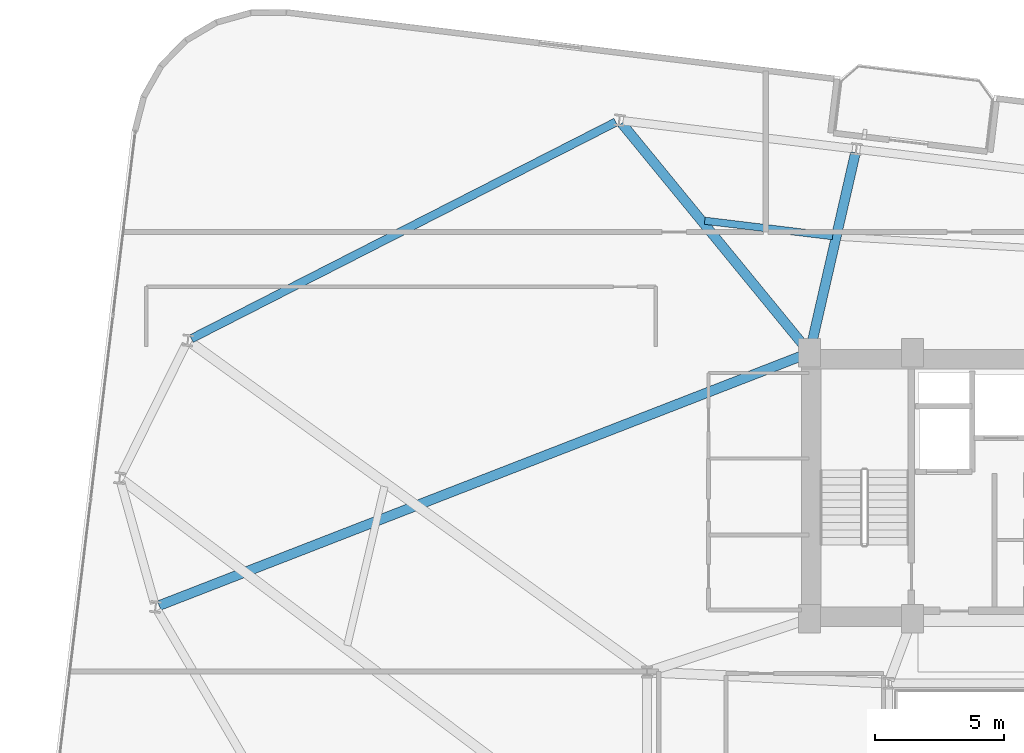
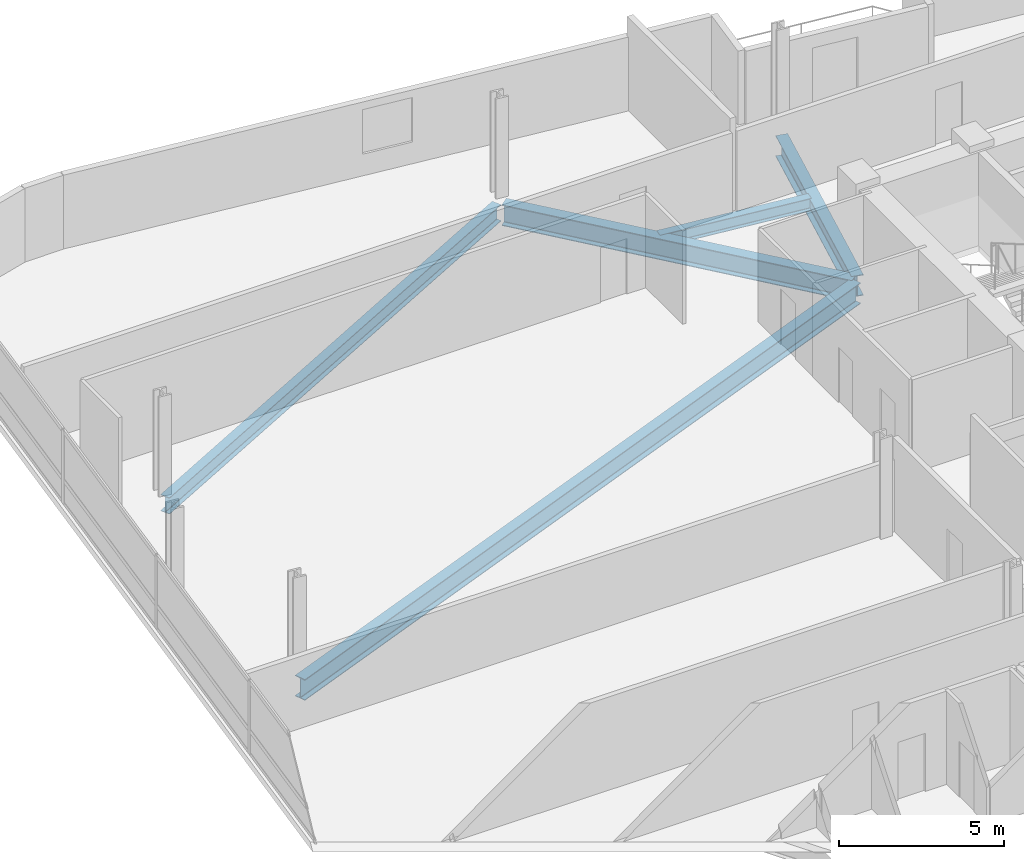
# One storey, part 11 of 26: 5 beams.
"""IFC4 building model written with IfcOpenShell, lengths in metres."""

from ifc_helpers import new_model, si_unit, direction, frame, origin, origin_2d, place, context, subcontext, project, spatial, i_section, extrude, material, material_profile, profile_set, type_object, element, save


model = new_model("IFC4")

# Units and contexts
model_context = context("Model", 3, precision=1e-05, world=origin(), true_north=direction((0.0, 1.0)))
body_context = subcontext(model_context, "Body", "Model", "MODEL_VIEW")
ifc_project = project(units=[si_unit("LENGTHUNIT", "METRE"), si_unit("AREAUNIT", "SQUARE_METRE"), si_unit("VOLUMEUNIT", "CUBIC_METRE"), si_unit("PLANEANGLEUNIT", "RADIAN"), si_unit("MASSUNIT", "GRAM", prefix="KILO")], contexts=[model_context])

# Site, building, storey
site_placement = place(None, origin())
site = spatial("IfcSite", under=ifc_project, at=site_placement, CompositionType="ELEMENT")
building_placement = place(site_placement, origin())
building = spatial("IfcBuilding", under=site, at=building_placement, Name="Varnelok Gate Tower", CompositionType="ELEMENT")
storey_placement = place(building_placement, frame((0.0, 0.0, 155.0)))
storey = spatial("IfcBuildingStorey", under=building, at=storey_placement, Name="L39", CompositionType="ELEMENT", Elevation=155.0)

# Beams
ifc_material = material(Name="Structural Steel ASTM A992 Grade 50", Category="steel")
ifc_material_profile_1 = material_profile(ifc_material, i_section(OverallWidth=0.280029296875, OverallDepth=0.462890625, WebThickness=0.0107421875, FlangeThickness=0.017333984375, FilletRadius=0.014892578125, at=origin_2d()), Name="W18X76")
ifc_profile_set_1 = profile_set([ifc_material_profile_1], Name="Structural Steel ASTM A992 Grade 50")
beam_type_1 = type_object("IfcBeamType", Name="BM-JST-W18X76", PredefinedType="JOIST", material=ifc_profile_set_1)
beam_1_placement = place(storey_placement, frame((31.59033203125, 43.56591796875, -0.4814453125), z_axis=(-0.992737322116, 0.120302158247, 0.0), x_axis=(-0.120302158247, -0.992737322116, 0.0)))
element("IfcBeam", 1, at=beam_1_placement, inside=storey, type_object=beam_type_1, Name="L39 Sector Floor Joist 10", PredefinedType="JOIST", context=body_context, shape_type="SweptSolid", body=[
    extrude(i_section(OverallWidth=0.280029296875, OverallDepth=0.462890625, WebThickness=0.0107421875, FlangeThickness=0.017333984375, FilletRadius=0.014892578125, at=origin_2d()), origin(), (0.0, 0.0, 1.0), 4.992431640625),
])
ifc_material_profile_2 = material_profile(ifc_material, i_section(OverallWidth=0.381103515625, OverallDepth=0.77294921875, WebThickness=0.0166015625, FlangeThickness=0.027099609375, FilletRadius=0.02197265625, at=origin_2d()), Name="W30X173")
ifc_profile_set_2 = profile_set([ifc_material_profile_2], Name="Structural Steel ASTM A992 Grade 50")
beam_type_2 = type_object("IfcBeamType", Name="BM-PRI-W30X173", PredefinedType="BEAM", material=ifc_profile_set_2)
beam_2_placement = place(storey_placement, frame((30.7333984375, 39.1962890625, -0.636474609375), z_axis=(0.223043307507, 0.974808536573, 0.0), x_axis=(-0.974808536573, 0.223043307507, 0.0)))
element("IfcBeam", 2, at=beam_2_placement, inside=storey, type_object=beam_type_2, Name="L39 Radial Floor Girder 12", PredefinedType="BEAM", context=body_context, shape_type="SweptSolid", body=[
    extrude(i_section(OverallWidth=0.381103515625, OverallDepth=0.77294921875, WebThickness=0.0166015625, FlangeThickness=0.027099609375, FilletRadius=0.02197265625, at=origin_2d()), origin(), (0.0, 0.0, 1.0), 7.796875),
])
beam_3_placement = place(storey_placement, frame((30.60498046875, 39.166015625, -0.636474609375), z_axis=(-0.633655000371, 0.773615757663, 0.0), x_axis=(-0.773615757663, -0.633655000371, 0.0)))
element("IfcBeam", 3, at=beam_3_placement, inside=storey, type_object=beam_type_2, Name="L39 Radial Floor Girder 13", PredefinedType="BEAM", context=body_context, shape_type="SweptSolid", body=[
    extrude(i_section(OverallWidth=0.381103515625, OverallDepth=0.77294921875, WebThickness=0.0166015625, FlangeThickness=0.027099609375, FilletRadius=0.02197265625, at=origin_2d()), origin(), (0.0, 0.0, 1.0), 11.341796875),
])
beam_4_placement = place(storey_placement, frame((30.560302734375, 38.99560546875, -0.636474609375), z_axis=(-0.93209869119, -0.362204403454, 0.0), x_axis=(0.362204403454, -0.93209869119, 0.0)))
element("IfcBeam", 4, at=beam_4_placement, inside=storey, type_object=beam_type_2, Name="L39 Radial Floor Girder 16", PredefinedType="BEAM", context=body_context, shape_type="SweptSolid", body=[
    extrude(i_section(OverallWidth=0.381103515625, OverallDepth=0.77294921875, WebThickness=0.0166015625, FlangeThickness=0.027099609375, FilletRadius=0.02197265625, at=origin_2d()), origin(), (0.0, 0.0, 1.0), 26.890869140625),
])
ifc_material_profile_3 = material_profile(ifc_material, i_section(OverallWidth=0.323974609375, OverallDepth=0.611083984375, WebThickness=0.0126953125, FlangeThickness=0.01904296875, FilletRadius=0.01806640625, at=origin_2d()), Name="W24X104")
ifc_profile_set_3 = profile_set([ifc_material_profile_3], Name="Structural Steel ASTM A992 Grade 50")
beam_type_3 = type_object("IfcBeamType", Name="BM-SPN-W24X104", PredefinedType="SPANDREL", material=ifc_profile_set_3)
beam_5_placement = place(storey_placement, frame((23.189697265625, 47.98779296875, -0.555419921875), z_axis=(-0.890729755615, -0.454533279819, 0.0), x_axis=(0.454533279819, -0.890729755615, 0.0)))
element("IfcBeam", 5, at=beam_5_placement, inside=storey, type_object=beam_type_3, Name="L39 Perimeter Spandrel Beam 13", PredefinedType="SPANDREL", context=body_context, shape_type="SweptSolid", body=[
    extrude(i_section(OverallWidth=0.323974609375, OverallDepth=0.611083984375, WebThickness=0.0126953125, FlangeThickness=0.01904296875, FilletRadius=0.01806640625, at=origin_2d()), origin(), (0.0, 0.0, 1.0), 18.466796875),
])

save(model, "model.ifc")
